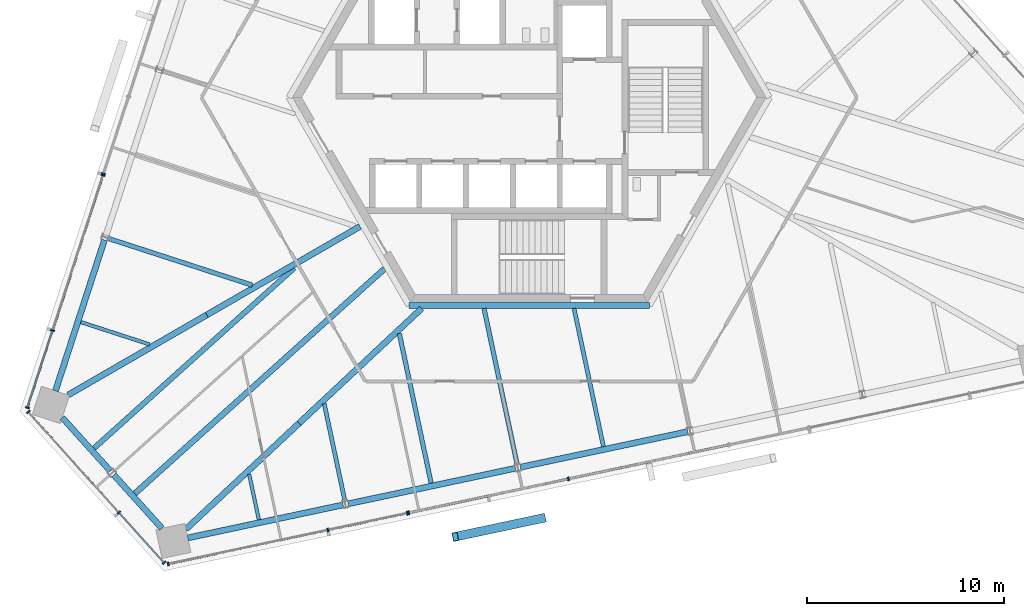
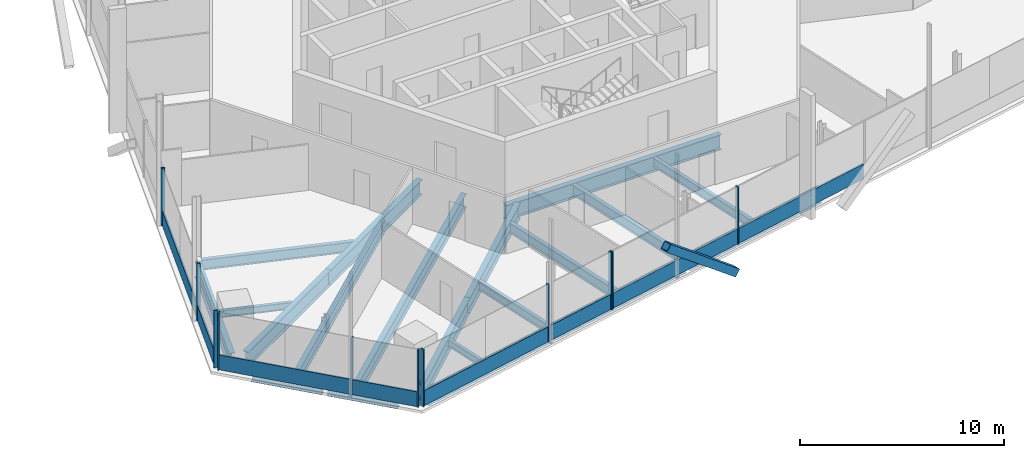
# One storey, part 4 of 17: 21 members, 20 beams, 5 elements without a shape of their own.
"""IFC4 building model written with IfcOpenShell, lengths in metres."""

from ifc_helpers import new_model, si_unit, direction, frame, origin, origin_2d, place, context, subcontext, project, spatial, rectangle, hollow_rectangle, i_section, extrude, source, transform, mapped, material, material_profile, profile_set, type_object, element, aggregate, save


model = new_model("IFC4")

# Units and contexts
model_context = context("Model", 3, precision=1e-05, world=origin(), true_north=direction((0.0, 1.0)))
body_context = subcontext(model_context, "Body", "Model", "MODEL_VIEW")
ifc_project = project(units=[si_unit("LENGTHUNIT", "METRE"), si_unit("AREAUNIT", "SQUARE_METRE"), si_unit("VOLUMEUNIT", "CUBIC_METRE"), si_unit("PLANEANGLEUNIT", "RADIAN"), si_unit("MASSUNIT", "GRAM", prefix="KILO")], contexts=[model_context])

# Site, building, storey
site_placement = place(None, origin())
site = spatial("IfcSite", under=ifc_project, at=site_placement, CompositionType="ELEMENT")
building_placement = place(site_placement, origin())
building = spatial("IfcBuilding", under=site, at=building_placement, Name="Triune Harvest Tower", CompositionType="ELEMENT")
storey_placement = place(building_placement, frame((0.0, 0.0, 281.10009765625)))
storey = spatial("IfcBuildingStorey", under=building, at=storey_placement, Name="L74", CompositionType="ELEMENT", Elevation=281.10009765625)

# Beams
ifc_material_1 = material(Name="Steel ASTM A992 Gr 50", Category="steel")
ifc_material_profile_1 = material_profile(ifc_material_1, i_section(OverallWidth=0.3046875, OverallDepth=0.914306640625, WebThickness=0.0166015625, FlangeThickness=0.02587890625, at=origin_2d()), Name="W36x160")
ifc_profile_set_1 = profile_set([ifc_material_profile_1], Name="Steel ASTM A992 Gr 50")
beam_type_1 = type_object("IfcBeamType", Name="CG-1 Core ring girder W36x160", PredefinedType="BEAM", material=ifc_profile_set_1)
shared_shape_1 = source(origin(), body_context, "Body", "SweptSolid", [
    extrude(i_section(OverallWidth=0.3046875, OverallDepth=0.914306640625, WebThickness=0.0166015625, FlangeThickness=0.02587890625, at=origin_2d()), origin(), (0.0, 0.0, 1.0), 12.17578125),
])
beam_1_placement = place(storey_placement, frame((-6.087890625, -10.544677734375, -0.6171875), z_axis=(1.0, 0.0, 0.0), x_axis=(0.0, 1.0, 0.0)))
element("IfcBeam", 1, at=beam_1_placement, inside=storey, type_object=beam_type_1, Name="beam/L74/CG5", PredefinedType="BEAM", context=body_context, shape_type="MappedRepresentation", body=[
    mapped(shared_shape_1, transform((0.0, 0.0, 0.0), scale=1.0)),
])
ifc_material_2 = material(Name="Steel ASTM A992 Gr 50", Category="steel")
ifc_material_profile_2 = material_profile(ifc_material_2, i_section(OverallWidth=0.3046875, OverallDepth=0.914306640625, WebThickness=0.0166015625, FlangeThickness=0.02587890625, at=origin_2d()), Name="W36x160")
ifc_profile_set_2 = profile_set([ifc_material_profile_2], Name="Steel ASTM A992 Gr 50")
beam_type_2 = type_object("IfcBeamType", Name="HG-3 Hip girder W36x160", PredefinedType="BEAM", material=ifc_profile_set_2)
shared_shape_2 = source(origin(), body_context, "Body", "SweptSolid", [
    extrude(i_section(OverallWidth=0.3046875, OverallDepth=0.914306640625, WebThickness=0.0166015625, FlangeThickness=0.02587890625, at=origin_2d()), origin(), (0.0, 0.0, 1.0), 8.97265625),
])
beam_2_placement = place(storey_placement, frame((-16.34619140625, -11.02734375, -0.6171875), z_axis=(0.866024277037, 0.500001951578, 0.0), x_axis=(-0.500001951578, 0.866024277037, 0.0)))
element("IfcBeam", 2, at=beam_2_placement, inside=storey, type_object=beam_type_2, Name="beam/L74/HG5", PredefinedType="BEAM", context=body_context, shape_type="MappedRepresentation", body=[
    mapped(shared_shape_2, transform((0.0, 0.0, 0.0), scale=1.0)),
])
ifc_material_3 = material(Name="Steel ASTM A992 Gr 50", Category="steel")
ifc_material_profile_3 = material_profile(ifc_material_3, i_section(OverallWidth=0.3046875, OverallDepth=0.914306640625, WebThickness=0.0166015625, FlangeThickness=0.02587890625, at=origin_2d()), Name="W36x160")
ifc_profile_set_3 = profile_set([ifc_material_profile_3], Name="Steel ASTM A992 Gr 50")
beam_type_3 = type_object("IfcBeamType", Name="SB-1 Spandrel beam W36x160", PredefinedType="SPANDREL", material=ifc_profile_set_3)
shared_shape_3 = source(origin(), body_context, "Body", "SweptSolid", [
    extrude(i_section(OverallWidth=0.3046875, OverallDepth=0.914306640625, WebThickness=0.0166015625, FlangeThickness=0.02587890625, at=origin_2d()), origin(), (0.0, 0.0, 1.0), 8.0498046875),
])
beam_3_placement = place(storey_placement, frame((-21.529296875, -7.220703125, -0.6171875), z_axis=(-0.30902160762, -0.951055017348, 0.0), x_axis=(0.951055017348, -0.30902160762, 0.0)))
element("IfcBeam", 3, at=beam_3_placement, inside=storey, type_object=beam_type_3, Name="beam/L74/SB12", PredefinedType="SPANDREL", context=body_context, shape_type="MappedRepresentation", body=[
    mapped(shared_shape_3, transform((0.0, 0.0, 0.0), scale=1.0)),
])
shared_shape_4 = source(origin(), body_context, "Body", "SweptSolid", [
    extrude(i_section(OverallWidth=0.3046875, OverallDepth=0.914306640625, WebThickness=0.0166015625, FlangeThickness=0.02587890625, at=origin_2d()), origin(), (0.0, 0.0, 1.0), 8.67138671875),
])
for number, where, z_axis, x_axis, name in (
    (4, (-9.1806640625, -20.603271484375, -0.6171875), (0.978145539793, 0.207921386546, 0.0), (-0.207921386546, 0.978145539793, 0.0), "beam/L74/SB16"),
    (5, (-0.44775390625, -18.7470703125, -0.6171875), (0.978145539793, 0.207921386546, 0.0), (-0.207921386546, 0.978145539793, 0.0), "beam/L74/SB17"),
):
    element("IfcBeam", number, at=place(storey_placement, frame(where, z_axis=z_axis, x_axis=x_axis)), inside=storey, type_object=beam_type_3, Name=name, PredefinedType="SPANDREL", context=body_context, shape_type="MappedRepresentation", body=[
        mapped(shared_shape_4, transform((0.0, 0.0, 0.0), scale=1.0)),
    ])
shared_shape_5 = source(origin(), body_context, "Body", "SweptSolid", [
    extrude(i_section(OverallWidth=0.3046875, OverallDepth=0.914306640625, WebThickness=0.0166015625, FlangeThickness=0.02587890625, at=origin_2d()), origin(), (0.0, 0.0, 1.0), 3.645751953125),
])
for number, where, z_axis, x_axis, name in (
    (6, (-23.669189453125, -16.2333984375, -0.6171875), (0.669138606654, -0.743137621901, 0.0), (0.743137621901, 0.669138606654, 0.0), "beam/L74/SB13"),
    (7, (-21.05810546875, -19.13330078125, -0.6171875), (0.669138606654, -0.743137621901, 0.0), (0.743137621901, 0.669138606654, 0.0), "beam/L74/SB14"),
):
    element("IfcBeam", number, at=place(storey_placement, frame(where, z_axis=z_axis, x_axis=x_axis)), inside=storey, type_object=beam_type_3, Name=name, PredefinedType="SPANDREL", context=body_context, shape_type="MappedRepresentation", body=[
        mapped(shared_shape_5, transform((0.0, 0.0, 0.0), scale=1.0)),
    ])
shared_shape_6 = source(origin(), body_context, "Body", "SweptSolid", [
    extrude(i_section(OverallWidth=0.3046875, OverallDepth=0.914306640625, WebThickness=0.0166015625, FlangeThickness=0.02587890625, at=origin_2d()), origin(), (0.0, 0.0, 1.0), 8.049560546875),
])
beam_4_placement = place(storey_placement, frame((-17.305419921875, -22.330322265625, -0.6171875), z_axis=(0.978148597907, 0.207906999431, 0.0), x_axis=(-0.207906999431, 0.978148597907, 0.0)))
element("IfcBeam", 8, at=beam_4_placement, inside=storey, type_object=beam_type_3, Name="beam/L74/SB15", PredefinedType="SPANDREL", context=body_context, shape_type="MappedRepresentation", body=[
    mapped(shared_shape_6, transform((0.0, 0.0, 0.0), scale=1.0)),
])
shared_shape_7 = source(origin(), body_context, "Body", "SweptSolid", [
    extrude(i_section(OverallWidth=0.3046875, OverallDepth=0.914306640625, WebThickness=0.0166015625, FlangeThickness=0.02587890625, at=origin_2d()), origin(), (0.0, 0.0, 1.0), 8.11572265625),
])
beam_5_placement = place(storey_placement, frame((-23.37451171875, -15.085205078125, -0.6171875), z_axis=(0.866022271607, 0.500005425051, 0.0), x_axis=(-0.500005425051, 0.866022271607, 0.0)))
element("IfcBeam", 9, at=beam_5_placement, inside=storey, type_object=beam_type_2, Name="beam/L74/HG4", PredefinedType="BEAM", context=body_context, shape_type="MappedRepresentation", body=[
    mapped(shared_shape_7, transform((0.0, 0.0, 0.0), scale=1.0)),
])
shared_shape_8 = source(origin(), body_context, "Body", "SweptSolid", [
    extrude(i_section(OverallWidth=0.3046875, OverallDepth=0.914306640625, WebThickness=0.0166015625, FlangeThickness=0.02587890625, at=origin_2d()), origin(), (0.0, 0.0, 1.0), 7.858642578125),
])
beam_6_placement = place(storey_placement, frame((-17.399658203125, -21.88720703125, -0.6171875), z_axis=(0.729902338859, 0.683551443367, 0.0), x_axis=(-0.683551443367, 0.729902338859, 0.0)))
element("IfcBeam", 10, at=beam_6_placement, inside=storey, type_object=beam_type_2, Name="beam/L74/HG6", PredefinedType="BEAM", context=body_context, shape_type="MappedRepresentation", body=[
    mapped(shared_shape_8, transform((0.0, 0.0, 0.0), scale=1.0)),
])
shared_shape_9 = source(origin(), body_context, "Body", "SweptSolid", [
    extrude(i_section(OverallWidth=0.3046875, OverallDepth=0.914306640625, WebThickness=0.0166015625, FlangeThickness=0.02587890625, at=origin_2d()), origin(), (0.0, 0.0, 1.0), 8.511962890625),
])
beam_7_placement = place(storey_placement, frame((-11.66357421875, -16.515380859375, -0.6171875), z_axis=(0.729902036757, 0.683551765954, 0.0), x_axis=(-0.683551765954, 0.729902036757, 0.0)))
element("IfcBeam", 11, at=beam_7_placement, inside=storey, type_object=beam_type_2, Name="beam/L74/HG7", PredefinedType="BEAM", context=body_context, shape_type="MappedRepresentation", body=[
    mapped(shared_shape_9, transform((0.0, 0.0, 0.0), scale=1.0)),
])
ifc_material_4 = material(Name="Steel ASTM A992 Gr 50", Category="steel")
ifc_material_profile_4 = material_profile(ifc_material_4, i_section(OverallWidth=0.180908203125, OverallDepth=0.41650390625, WebThickness=0.010986328125, FlangeThickness=0.01806640625, at=origin_2d()), Name="W16x57")
ifc_profile_set_4 = profile_set([ifc_material_profile_4], Name="Steel ASTM A992 Gr 50")
beam_type_4 = type_object("IfcBeamType", Name="JT-1 Floor joist W16x57", PredefinedType="JOIST", material=ifc_profile_set_4)
shared_shape_10 = source(origin(), body_context, "Body", "SweptSolid", [
    extrude(i_section(OverallWidth=0.180908203125, OverallDepth=0.41650390625, WebThickness=0.010986328125, FlangeThickness=0.01806640625, at=origin_2d()), origin(), (0.0, 0.0, 1.0), 2.364990234375),
])
beam_8_placement = place(storey_placement, frame((-13.704345703125, -21.4091796875, -0.368408203125), z_axis=(-0.207914315996, 0.978147042731, 0.0), x_axis=(-0.978147042731, -0.207914315996, 0.0)))
element("IfcBeam", 12, at=beam_8_placement, inside=storey, type_object=beam_type_4, Name="beam/L74/JT23", PredefinedType="JOIST", context=body_context, shape_type="MappedRepresentation", body=[
    mapped(shared_shape_10, transform((0.0, 0.0, 0.0), scale=1.0)),
])
ifc_material_5 = material(Name="Steel ASTM A992 Gr 50", Category="steel")
ifc_material_profile_5 = material_profile(ifc_material_5, i_section(OverallWidth=0.2099609375, OverallDepth=0.535888671875, WebThickness=0.010986328125, FlangeThickness=0.017333984375, at=origin_2d()), Name="W21x68")
ifc_profile_set_5 = profile_set([ifc_material_profile_5], Name="Steel ASTM A992 Gr 50")
beam_type_5 = type_object("IfcBeamType", Name="JT-2 Floor joist W21x68", PredefinedType="JOIST", material=ifc_profile_set_5)
shared_shape_11 = source(origin(), body_context, "Body", "SweptSolid", [
    extrude(i_section(OverallWidth=0.2099609375, OverallDepth=0.535888671875, WebThickness=0.010986328125, FlangeThickness=0.017333984375, at=origin_2d()), origin(), (0.0, 0.0, 1.0), 5.031982421875),
])
beam_9_placement = place(storey_placement, frame((-9.34375, -20.45361328125, -0.427978515625), z_axis=(-0.207895312057, 0.978151082004, 0.0), x_axis=(-0.978151082004, -0.207895312057, 0.0)))
element("IfcBeam", 13, at=beam_9_placement, inside=storey, type_object=beam_type_5, Name="beam/L74/JT24", PredefinedType="JOIST", context=body_context, shape_type="MappedRepresentation", body=[
    mapped(shared_shape_11, transform((0.0, 0.0, 0.0), scale=1.0)),
])
ifc_material_6 = material(Name="Steel ASTM A992 Gr 50", Category="steel")
ifc_material_profile_6 = material_profile(ifc_material_6, i_section(OverallWidth=0.22900390625, OverallDepth=0.612060546875, WebThickness=0.011962890625, FlangeThickness=0.01953125, at=origin_2d()), Name="W24x84")
ifc_profile_set_6 = profile_set([ifc_material_profile_6], Name="Steel ASTM A992 Gr 50")
beam_type_6 = type_object("IfcBeamType", Name="JT-3 Floor joist W24x84", PredefinedType="JOIST", material=ifc_profile_set_6)
shared_shape_12 = source(origin(), body_context, "Body", "SweptSolid", [
    extrude(i_section(OverallWidth=0.22900390625, OverallDepth=0.612060546875, WebThickness=0.011962890625, FlangeThickness=0.01953125, at=origin_2d()), origin(), (0.0, 0.0, 1.0), 7.755126953125),
])
beam_10_placement = place(storey_placement, frame((-4.971435546875, -19.552734375, -0.46630859375), z_axis=(-0.20790130149, 0.978149808996, 0.0), x_axis=(-0.978149808996, -0.20790130149, 0.0)))
element("IfcBeam", 14, at=beam_10_placement, inside=storey, type_object=beam_type_6, Name="beam/L74/JT25", PredefinedType="JOIST", context=body_context, shape_type="MappedRepresentation", body=[
    mapped(shared_shape_12, transform((0.0, 0.0, 0.0), scale=1.0)),
])
shared_shape_13 = source(origin(), body_context, "Body", "SweptSolid", [
    extrude(i_section(OverallWidth=0.22900390625, OverallDepth=0.612060546875, WebThickness=0.011962890625, FlangeThickness=0.01953125, at=origin_2d()), origin(), (0.0, 0.0, 1.0), 8.076904296875),
])
beam_11_placement = place(storey_placement, frame((-0.61083984375, -18.597412109375, -0.46630859375), z_axis=(-0.207902137341, 0.978149631339, 0.0), x_axis=(-0.978149631339, -0.207902137341, 0.0)))
element("IfcBeam", 15, at=beam_11_placement, inside=storey, type_object=beam_type_6, Name="beam/L74/JT26", PredefinedType="JOIST", context=body_context, shape_type="MappedRepresentation", body=[
    mapped(shared_shape_13, transform((0.0, 0.0, 0.0), scale=1.0)),
])
shared_shape_14 = source(origin(), body_context, "Body", "SweptSolid", [
    extrude(i_section(OverallWidth=0.22900390625, OverallDepth=0.612060546875, WebThickness=0.011962890625, FlangeThickness=0.01953125, at=origin_2d()), origin(), (0.0, 0.0, 1.0), 7.6533203125),
])
beam_12_placement = place(storey_placement, frame((-21.318115234375, -7.154541015625, -0.46630859375), z_axis=(0.951057977144, -0.309012498309, 0.0), x_axis=(0.309012498309, 0.951057977144, 0.0)))
element("IfcBeam", 16, at=beam_12_placement, inside=storey, type_object=beam_type_6, Name="beam/L74/JT19", PredefinedType="JOIST", context=body_context, shape_type="MappedRepresentation", body=[
    mapped(shared_shape_14, transform((0.0, 0.0, 0.0), scale=1.0)),
])
shared_shape_15 = source(origin(), body_context, "Body", "SweptSolid", [
    extrude(i_section(OverallWidth=0.180908203125, OverallDepth=0.41650390625, WebThickness=0.010986328125, FlangeThickness=0.01806640625, at=origin_2d()), origin(), (0.0, 0.0, 1.0), 3.661865234375),
])
beam_13_placement = place(storey_placement, frame((-22.72412109375, -11.391357421875, -0.368408203125), z_axis=(0.951056113966, -0.309018232614, 0.0), x_axis=(0.309018232614, 0.951056113966, 0.0)))
element("IfcBeam", 17, at=beam_13_placement, inside=storey, type_object=beam_type_4, Name="beam/L74/JT20", PredefinedType="JOIST", context=body_context, shape_type="MappedRepresentation", body=[
    mapped(shared_shape_15, transform((0.0, 0.0, 0.0), scale=1.0)),
])
ifc_material_7 = material(Name="Steel ASTM A992 Gr 50", Category="steel")
ifc_material_profile_7 = material_profile(ifc_material_7, i_section(OverallWidth=0.2666015625, OverallDepth=0.7568359375, WebThickness=0.013916015625, FlangeThickness=0.019287109375, at=origin_2d()), Name="W30x108")
ifc_profile_set_7 = profile_set([ifc_material_profile_7], Name="Steel ASTM A992 Gr 50")
beam_type_7 = type_object("IfcBeamType", Name="JT-5 Floor joist W30x108", PredefinedType="JOIST", material=ifc_profile_set_7)
shared_shape_16 = source(origin(), body_context, "Body", "SweptSolid", [
    extrude(i_section(OverallWidth=0.2666015625, OverallDepth=0.7568359375, WebThickness=0.013916015625, FlangeThickness=0.019287109375, at=origin_2d()), origin(), (0.0, 0.0, 1.0), 13.667724609375),
])
beam_14_placement = place(storey_placement, frame((-22.0654296875, -17.78662109375, -0.53857421875), z_axis=(0.743148465952, 0.66912656318, 0.0), x_axis=(-0.66912656318, 0.743148465952, 0.0)))
element("IfcBeam", 18, at=beam_14_placement, inside=storey, type_object=beam_type_7, Name="beam/L74/JT21", PredefinedType="JOIST", context=body_context, shape_type="MappedRepresentation", body=[
    mapped(shared_shape_16, transform((0.0, 0.0, 0.0), scale=1.0)),
])
ifc_material_8 = material(Name="Steel ASTM A992 Gr 50", Category="steel")
ifc_material_profile_8 = material_profile(ifc_material_8, i_section(OverallWidth=0.2919921875, OverallDepth=0.8408203125, WebThickness=0.0146484375, FlangeThickness=0.021728515625, at=origin_2d()), Name="W33x130")
ifc_profile_set_8 = profile_set([ifc_material_profile_8], Name="Steel ASTM A992 Gr 50")
beam_type_8 = type_object("IfcBeamType", Name="JT-6 Floor joist W33x130", PredefinedType="JOIST", material=ifc_profile_set_8)
shared_shape_17 = source(origin(), body_context, "Body", "SweptSolid", [
    extrude(i_section(OverallWidth=0.2919921875, OverallDepth=0.8408203125, WebThickness=0.0146484375, FlangeThickness=0.021728515625, at=origin_2d()), origin(), (0.0, 0.0, 1.0), 17.03466796875),
])
beam_15_placement = place(storey_placement, frame((-19.99560546875, -20.08544921875, -0.58056640625), z_axis=(0.743143047387, 0.669132581123, 0.0), x_axis=(-0.669132581123, 0.743143047387, 0.0)))
element("IfcBeam", 19, at=beam_15_placement, inside=storey, type_object=beam_type_8, Name="beam/L74/JT22", PredefinedType="JOIST", context=body_context, shape_type="MappedRepresentation", body=[
    mapped(shared_shape_17, transform((0.0, 0.0, 0.0), scale=1.0)),
])
shared_shape_18 = source(origin(), body_context, "Body", "SweptSolid", [
    extrude(i_section(OverallWidth=0.2099609375, OverallDepth=0.535888671875, WebThickness=0.010986328125, FlangeThickness=0.017333984375, at=origin_2d()), origin(), (0.0, 0.0, 1.0), 7.156005859375),
])
beam_16_placement = place(storey_placement, frame((3.761474609375, -17.696533203125, -0.427978515625), z_axis=(-0.207911801049, 0.978147577303, 0.0), x_axis=(-0.978147577303, -0.207911801049, 0.0)))
element("IfcBeam", 20, at=beam_16_placement, inside=storey, type_object=beam_type_5, Name="beam/L74/JT27", PredefinedType="JOIST", context=body_context, shape_type="MappedRepresentation", body=[
    mapped(shared_shape_18, transform((0.0, 0.0, 0.0), scale=1.0)),
])

# Member
ifc_material_9 = material(Name="Steel ASTM A572 Gr 50", Category="steel")
ifc_material_profile_9 = material_profile(ifc_material_9, hollow_rectangle(XDim=0.449951171875, YDim=0.449951171875, WallThickness=0.02490234375, at=origin_2d()), Name="Box 450x450x25")
ifc_profile_set_9 = profile_set([ifc_material_profile_9], Name="Steel ASTM A572 Gr 50")
member_type_1 = type_object("IfcMemberType", Name="BR-4 Brace Box 450x450x25", PredefinedType="BRACE", material=ifc_profile_set_9)
shared_shape_19 = source(origin(), body_context, "Body", "SweptSolid", [
    extrude(hollow_rectangle(XDim=0.449951171875, YDim=0.449951171875, WallThickness=0.02490234375, at=origin_2d()), origin(), (0.0, 0.0, 1.0), 5.7890625),
])
member_1_placement = place(storey_placement, frame((0.687744140625, -21.327880859375, 0.0), z_axis=(-0.766029525278, -0.162829773018, 0.621840197656), x_axis=(0.207918008245, -0.978146257902, 0.0)))
element("IfcMember", 21, at=member_1_placement, inside=storey, type_object=member_type_1, Name="brace/B7-F5/d2/7", PredefinedType="BRACE", context=body_context, shape_type="MappedRepresentation", body=[
    mapped(shared_shape_19, transform((0.0, 0.0, 0.0), scale=1.0)),
])

# Curtain wall, members
ifc_material_10 = material(Name="Aluminium bronze anodised", Category="aluminium")
curtain_wall_type_1 = type_object("IfcCurtainWallType", Name="CW-1 Tower stick curtain wall", PredefinedType="NOTDEFINED", material=ifc_material_10)
curtain_wall_1_placement = place(storey_placement, origin())
curtain_wall_1 = element("IfcCurtainWall", 22, at=curtain_wall_1_placement, inside=storey, type_object=curtain_wall_type_1, Name="CW-1 B7-F4 L74 run 1")
ifc_material_11 = material(Name="Aluminium bronze anodised", Category="aluminium")
ifc_material_profile_10 = material_profile(ifc_material_11, rectangle(XDim=0.090087890625, YDim=0.89990234375, at=origin_2d()), Name="TR-1 transom 90 x 900")
ifc_profile_set_10 = profile_set([ifc_material_profile_10], Name="Aluminium bronze anodised")
member_type_2 = type_object("IfcMemberType", Name="TR-1 transom 90 x 900", PredefinedType="USERDEFINED", material=ifc_profile_set_10)
shared_shape_20 = source(origin(), body_context, "Body", "SweptSolid", [
    extrude(rectangle(XDim=0.090087890625, YDim=0.89990234375, at=origin_2d()), origin(), (0.0, 0.0, 1.0), 6.7900390625),
])
member_2_placement = place(storey_placement, frame((-25.364501953125, -15.97314453125, 0.449951171875), z_axis=(0.669139526396, -0.743136793743, 0.0), x_axis=(0.743136793743, 0.669139526396, 0.0)))
member_2 = element("IfcMember", 23, at=member_2_placement, type_object=member_type_2, Name="CW-1 transom B7-F4 1.1", ObjectType="TRANSOM", PredefinedType="USERDEFINED", context=body_context, shape_type="MappedRepresentation", body=[
    mapped(shared_shape_20, transform((0.0, 0.0, 0.0), scale=1.0)),
])
shared_shape_21 = source(origin(), body_context, "Body", "SweptSolid", [
    extrude(rectangle(XDim=0.090087890625, YDim=0.89990234375, at=origin_2d()), origin(), (0.0, 0.0, 1.0), 3.338623046875),
])
member_3_placement = place(storey_placement, frame((-20.77099609375, -21.07470703125, 0.449951171875), z_axis=(0.66917479026, -0.743105039736, 0.0), x_axis=(0.743105039736, 0.66917479026, 0.0)))
member_3 = element("IfcMember", 24, at=member_3_placement, type_object=member_type_2, Name="CW-1 transom B7-F4 1.2", ObjectType="TRANSOM", PredefinedType="USERDEFINED", context=body_context, shape_type="MappedRepresentation", body=[
    mapped(shared_shape_21, transform((0.0, 0.0, 0.0), scale=1.0)),
])

# Curtain wall, member
curtain_wall_2_placement = place(storey_placement, origin())
curtain_wall_2 = element("IfcCurtainWall", 25, at=curtain_wall_2_placement, inside=storey, type_object=curtain_wall_type_1, Name="CW-1 B7-F3 L74 run 2001")
shared_shape_22 = source(origin(), body_context, "Body", "SweptSolid", [
    extrude(rectangle(XDim=0.090087890625, YDim=0.89990234375, at=origin_2d()), origin(), (0.0, 0.0, 1.0), 8.198974609375),
])
member_4_placement = place(storey_placement, frame((-21.61767578125, -3.97900390625, 0.449951171875), z_axis=(-0.308991809103, -0.951064699117, 0.0), x_axis=(0.951064699117, -0.308991809103, 0.0)))
member_4 = element("IfcMember", 26, at=member_4_placement, type_object=member_type_2, Name="CW-1 transom B7-F3 2001.1", ObjectType="TRANSOM", PredefinedType="USERDEFINED", context=body_context, shape_type="MappedRepresentation", body=[
    mapped(shared_shape_22, transform((0.0, 0.0, 0.0), scale=1.0)),
])

ifc_material_12 = material(Name="Aluminium bronze anodised", Category="aluminium")
curtain_wall_type_2 = type_object("IfcCurtainWallType", Name="CW-7 Tower stick curtain wall with insulated spandrel infill", PredefinedType="NOTDEFINED", material=ifc_material_12)
curtain_wall_3_placement = place(storey_placement, origin())
curtain_wall_3 = element("IfcCurtainWall", 27, at=curtain_wall_3_placement, inside=storey, type_object=curtain_wall_type_2, Name="CW-7 B7-F5 L74 run 1001")
member_5_placement = place(storey_placement, frame((-6.070068359375, -21.052001953125, 0.449951171875), z_axis=(0.978149238743, 0.207903984441, 0.0), x_axis=(-0.207903984441, 0.978149238743, 0.0)))
member_5 = element("IfcMember", 28, at=member_5_placement, type_object=member_type_2, Name="CW-7 transom B7-F5 1001.1", ObjectType="TRANSOM", PredefinedType="USERDEFINED", context=body_context, shape_type="MappedRepresentation", body=[
    mapped(shared_shape_22, transform((0.0, 0.0, 0.0), scale=1.0)),
])

curtain_wall_4_placement = place(storey_placement, origin())
curtain_wall_4 = element("IfcCurtainWall", 29, at=curtain_wall_4_placement, inside=storey, type_object=curtain_wall_type_1, Name="CW-1 B7-F5 L74 run 1")
shared_shape_23 = source(origin(), body_context, "Body", "SweptSolid", [
    extrude(rectangle(XDim=0.090087890625, YDim=0.89990234375, at=origin_2d()), origin(), (0.0, 0.0, 1.0), 8.19921875),
])
member_6_placement = place(storey_placement, frame((-18.26513671875, -23.64404296875, 0.449951171875), z_axis=(0.978150525776, 0.207897929101, 0.0), x_axis=(-0.207897929101, 0.978150525776, 0.0)))
member_6 = element("IfcMember", 30, at=member_6_placement, type_object=member_type_2, Name="CW-1 transom B7-F5 1.1", ObjectType="TRANSOM", PredefinedType="USERDEFINED", context=body_context, shape_type="MappedRepresentation", body=[
    mapped(shared_shape_23, transform((0.0, 0.0, 0.0), scale=1.0)),
])

# Member
shared_shape_24 = source(origin(), body_context, "Body", "SweptSolid", [
    extrude(rectangle(XDim=0.090087890625, YDim=0.89990234375, at=origin_2d()), origin(), (0.0, 0.0, 1.0), 4.04345703125),
])
member_7_placement = place(storey_placement, frame((-24.17431640625, -11.84814453125, 0.449951171875), z_axis=(-0.309027363751, -0.951053147018, 0.0), x_axis=(0.951053147018, -0.309027363751, 0.0)))
member_7 = element("IfcMember", 31, at=member_7_placement, type_object=member_type_2, Name="CW-1 transom B7-F3 2001.2", ObjectType="TRANSOM", PredefinedType="USERDEFINED", context=body_context, shape_type="MappedRepresentation", body=[
    mapped(shared_shape_24, transform((0.0, 0.0, 0.0), scale=1.0)),
])

member_8_placement = place(storey_placement, frame((-10.171875, -21.923828125, 0.449951171875), z_axis=(0.978152712315, 0.207887641265, 0.0), x_axis=(-0.207887641265, 0.978152712315, 0.0)))
member_8 = element("IfcMember", 32, at=member_8_placement, type_object=member_type_2, Name="CW-1 transom B7-F5 1.2", ObjectType="TRANSOM", PredefinedType="USERDEFINED", context=body_context, shape_type="MappedRepresentation", body=[
    mapped(shared_shape_24, transform((0.0, 0.0, 0.0), scale=1.0)),
])

shared_shape_25 = source(origin(), body_context, "Body", "SweptSolid", [
    extrude(rectangle(XDim=0.090087890625, YDim=0.89990234375, at=origin_2d()), origin(), (0.0, 0.0, 1.0), 8.236328125),
])
member_9_placement = place(storey_placement, frame((2.023193359375, -19.331787109375, 0.449951171875), z_axis=(0.978142500488, 0.20793568414, 0.0), x_axis=(-0.20793568414, 0.978142500488, 0.0)))
member_9 = element("IfcMember", 33, at=member_9_placement, type_object=member_type_2, Name="CW-7 transom B7-F5 1001.2", ObjectType="TRANSOM", PredefinedType="USERDEFINED", context=body_context, shape_type="MappedRepresentation", body=[
    mapped(shared_shape_25, transform((0.0, 0.0, 0.0), scale=1.0)),
])

# Curtain wall, member
curtain_wall_5_placement = place(storey_placement, origin())
curtain_wall_5 = element("IfcCurtainWall", 34, at=curtain_wall_5_placement, inside=storey, type_object=curtain_wall_type_2, Name="CW-7 B7-F3 L74 run 1001")
ifc_material_13 = material(Name="Aluminium bronze anodised", Category="aluminium")
ifc_material_profile_11 = material_profile(ifc_material_13, rectangle(XDim=0.199951171875, YDim=0.074951171875, at=origin_2d()), Name="MU-1 mullion 75 x 200")
ifc_profile_set_11 = profile_set([ifc_material_profile_11], Name="Aluminium bronze anodised")
member_type_3 = type_object("IfcMemberType", Name="MU-1 mullion 75 x 200", PredefinedType="MULLION", material=ifc_profile_set_11)
shared_shape_26 = source(origin(), body_context, "Body", "SweptSolid", [
    extrude(rectangle(XDim=0.199951171875, YDim=0.074951171875, at=origin_2d()), origin(), (0.0, 0.0, 1.0), 3.419921875),
])
member_10_placement = place(storey_placement, frame((-21.582763671875, -3.8720703125, 0.0), z_axis=(0.0, 0.0, 1.0), x_axis=(0.951055533932, -0.309020017761, 0.0)))
member_10 = element("IfcMember", 35, at=member_10_placement, type_object=member_type_3, Name="CW-7 mullion B7-F3 1001.6", PredefinedType="MULLION", context=body_context, shape_type="MappedRepresentation", body=[
    mapped(shared_shape_26, transform((0.0, 0.0, 0.0), scale=1.0)),
])
aggregate(curtain_wall_5, [member_10])

# Member
member_11_placement = place(storey_placement, frame((-21.60595703125, -3.943359375, 0.0), z_axis=(0.0, 0.0, 1.0), x_axis=(0.951057715783, -0.309013302707, 0.0)))
member_11 = element("IfcMember", 36, at=member_11_placement, type_object=member_type_3, Name="CW-1 mullion B7-F3 2001.1", PredefinedType="MULLION", context=body_context, shape_type="MappedRepresentation", body=[
    mapped(shared_shape_26, transform((0.0, 0.0, 0.0), scale=1.0)),
])

member_12_placement = place(storey_placement, frame((-24.162841796875, -11.8125, 0.0), z_axis=(0.0, 0.0, 1.0), x_axis=(0.951057715783, -0.309013302707, 0.0)))
member_12 = element("IfcMember", 37, at=member_12_placement, type_object=member_type_3, Name="CW-1 mullion B7-F3 2001.3", PredefinedType="MULLION", context=body_context, shape_type="MappedRepresentation", body=[
    mapped(shared_shape_26, transform((0.0, 0.0, 0.0), scale=1.0)),
])

member_13_placement = place(storey_placement, frame((-25.435302734375, -15.729248046875, 0.0), z_axis=(0.0, 0.0, 1.0), x_axis=(0.951057715783, -0.309013302707, 0.0)))
member_13 = element("IfcMember", 38, at=member_13_placement, type_object=member_type_3, Name="CW-1 mullion B7-F3 2001.4", PredefinedType="MULLION", context=body_context, shape_type="MappedRepresentation", body=[
    mapped(shared_shape_26, transform((0.0, 0.0, 0.0), scale=1.0)),
])

aggregate(curtain_wall_2, [member_11, member_12, member_13, member_4, member_7])

member_14_placement = place(storey_placement, frame((-25.389404296875, -15.9453125, 0.0), z_axis=(0.0, 0.0, 1.0), x_axis=(0.743143542297, 0.669132031472, 0.0)))
member_14 = element("IfcMember", 39, at=member_14_placement, type_object=member_type_3, Name="CW-1 mullion B7-F4 1.1", PredefinedType="MULLION", context=body_context, shape_type="MappedRepresentation", body=[
    mapped(shared_shape_26, transform((0.0, 0.0, 0.0), scale=1.0)),
])

member_15_placement = place(storey_placement, frame((-20.7958984375, -21.046875, 0.0), z_axis=(0.0, 0.0, 1.0), x_axis=(0.743143542297, 0.669132031472, 0.0)))
member_15 = element("IfcMember", 40, at=member_15_placement, type_object=member_type_3, Name="CW-1 mullion B7-F4 1.3", PredefinedType="MULLION", context=body_context, shape_type="MappedRepresentation", body=[
    mapped(shared_shape_26, transform((0.0, 0.0, 0.0), scale=1.0)),
])

member_16_placement = place(storey_placement, frame((-18.51171875, -23.583740234375, 0.0), z_axis=(0.0, 0.0, 1.0), x_axis=(0.743143542297, 0.669132031472, 0.0)))
member_16 = element("IfcMember", 41, at=member_16_placement, type_object=member_type_3, Name="CW-1 mullion B7-F4 1.4", PredefinedType="MULLION", context=body_context, shape_type="MappedRepresentation", body=[
    mapped(shared_shape_26, transform((0.0, 0.0, 0.0), scale=1.0)),
])

aggregate(curtain_wall_1, [member_14, member_15, member_16, member_2, member_3])

member_17_placement = place(storey_placement, frame((-18.3017578125, -23.65185546875, 0.0), z_axis=(0.0, 0.0, 1.0), x_axis=(-0.207909221248, 0.978148125654, 0.0)))
member_17 = element("IfcMember", 42, at=member_17_placement, type_object=member_type_3, Name="CW-1 mullion B7-F5 1.1", PredefinedType="MULLION", context=body_context, shape_type="MappedRepresentation", body=[
    mapped(shared_shape_26, transform((0.0, 0.0, 0.0), scale=1.0)),
])

member_18_placement = place(storey_placement, frame((-10.20849609375, -21.931640625, 0.0), z_axis=(0.0, 0.0, 1.0), x_axis=(-0.207909221248, 0.978148125654, 0.0)))
member_18 = element("IfcMember", 43, at=member_18_placement, type_object=member_type_3, Name="CW-1 mullion B7-F5 1.3", PredefinedType="MULLION", context=body_context, shape_type="MappedRepresentation", body=[
    mapped(shared_shape_26, transform((0.0, 0.0, 0.0), scale=1.0)),
])

member_19_placement = place(storey_placement, frame((-6.18017578125, -21.075439453125, 0.0), z_axis=(0.0, 0.0, 1.0), x_axis=(-0.207909221248, 0.978148125654, 0.0)))
member_19 = element("IfcMember", 44, at=member_19_placement, type_object=member_type_3, Name="CW-1 mullion B7-F5 1.4", PredefinedType="MULLION", context=body_context, shape_type="MappedRepresentation", body=[
    mapped(shared_shape_26, transform((0.0, 0.0, 0.0), scale=1.0)),
])

aggregate(curtain_wall_4, [member_17, member_18, member_19, member_6, member_8])

member_20_placement = place(storey_placement, frame((-6.10693359375, -21.059814453125, 0.0), z_axis=(0.0, 0.0, 1.0), x_axis=(-0.207913090389, 0.978147303245, 0.0)))
member_20 = element("IfcMember", 45, at=member_20_placement, type_object=member_type_3, Name="CW-7 mullion B7-F5 1001.1", PredefinedType="MULLION", context=body_context, shape_type="MappedRepresentation", body=[
    mapped(shared_shape_26, transform((0.0, 0.0, 0.0), scale=1.0)),
])

member_21_placement = place(storey_placement, frame((1.986328125, -19.339599609375, 0.0), z_axis=(0.0, 0.0, 1.0), x_axis=(-0.207913090389, 0.978147303245, 0.0)))
member_21 = element("IfcMember", 46, at=member_21_placement, type_object=member_type_3, Name="CW-7 mullion B7-F5 1001.3", PredefinedType="MULLION", context=body_context, shape_type="MappedRepresentation", body=[
    mapped(shared_shape_26, transform((0.0, 0.0, 0.0), scale=1.0)),
])

aggregate(curtain_wall_3, [member_20, member_21, member_5, member_9])

save(model, "model.ifc")
